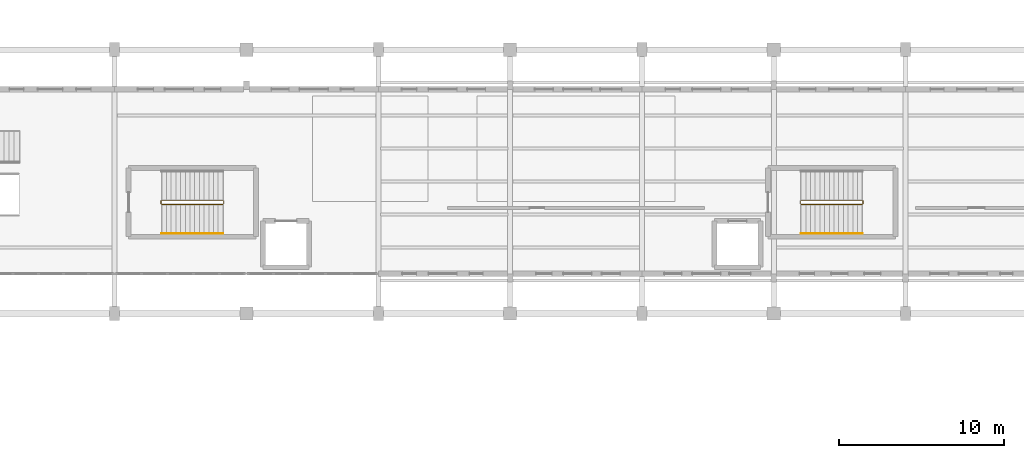
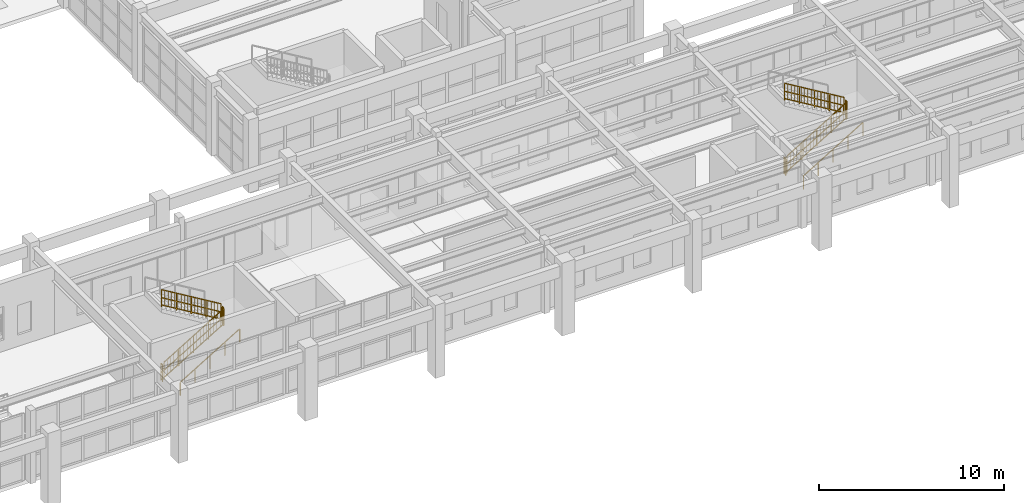
# One storey, part 56 of 59: 10 railings.
"""IFC4 building model written with IfcOpenShell, lengths in metres."""

from ifc_helpers import new_model, si_unit, direction, frame, origin, origin_2d, place, context, subcontext, project, spatial, rectangle, extrude, material, layer, layer_set, type_object, element, save


model = new_model("IFC4")

# Units and contexts
model_context = context("Model", 3, precision=1e-05, world=origin(), true_north=direction((0.0, 1.0)))
body_context = subcontext(model_context, "Body", "Model", "MODEL_VIEW")
ifc_project = project(units=[si_unit("LENGTHUNIT", "METRE"), si_unit("AREAUNIT", "SQUARE_METRE"), si_unit("VOLUMEUNIT", "CUBIC_METRE"), si_unit("PLANEANGLEUNIT", "RADIAN"), si_unit("MASSUNIT", "GRAM", prefix="KILO")], contexts=[model_context])

# Site, building, storey
site_placement = place(None, origin())
site = spatial("IfcSite", under=ifc_project, at=site_placement, CompositionType="ELEMENT")
building_placement = place(site_placement, origin())
building = spatial("IfcBuilding", under=site, at=building_placement, Name="Serraluz Foothill Cableway Terminal", CompositionType="ELEMENT")
storey_placement = place(building_placement, frame((0.0, 0.0, 4.800048828125)))
storey = spatial("IfcBuildingStorey", under=building, at=storey_placement, Name="L01", CompositionType="ELEMENT", Elevation=4.800048828125)

# Railings
ifc_material_1 = material(Name="Steel ASTM A572 Grade 50", Category="steel")
ifc_layer_1 = layer(ifc_material_1, 0.054931640625, Name="Steel ASTM A572 Grade 50", Category="steel")
ifc_layer_set_1 = layer_set([ifc_layer_1], Name="Steel ASTM A572 Grade 50")
railing_type_1 = type_object("IfcRailingType", Name="TYP-RL-GRD-1150", PredefinedType="GUARDRAIL", material=ifc_layer_set_1)
railing_1_placement = place(storey_placement, frame((66.860107421875, 62.610107421875, 0.17138671875)))
element("IfcRailing", 1, at=railing_1_placement, inside=storey, type_object=railing_type_1, Name="L01 ST-03 stair guard 1", PredefinedType="GUARDRAIL", context=body_context, shape_type="SweptSolid", body=[
    extrude(rectangle(XDim=0.048095703125, YDim=0.048095703125, at=origin_2d()), frame((0.0, 0.0, 1.1259765625), z_axis=(0.856919398105, 0.0, 0.515450429384), x_axis=(0.0, 1.0, 0.0)), (0.0, 0.0, 1.0), 4.323486328125),
    extrude(rectangle(XDim=0.048095703125, YDim=0.048095703125, at=origin_2d()), frame((0.0, 0.0, 0.597900390625), z_axis=(0.856919398105, 0.0, 0.515450429384), x_axis=(0.0, 1.0, 0.0)), (0.0, 0.0, 1.0), 4.323486328125),
    extrude(rectangle(XDim=0.048095703125, YDim=0.048095703125, at=origin_2d()), frame((0.0, 0.0, 0.1201171875), z_axis=(0.856919398105, 0.0, 0.515450429384), x_axis=(0.0, 1.0, 0.0)), (0.0, 0.0, 1.0), 4.323486328125),
    extrude(rectangle(XDim=0.02001953125, YDim=0.02001953125, at=origin_2d()), frame((0.205810546875, 0.0, 0.243896484375)), (0.0, 0.0, 1.0), 0.981689453125),
    extrude(rectangle(XDim=0.02001953125, YDim=0.02001953125, at=origin_2d()), frame((0.41162109375, 0.0, 0.36767578125)), (0.0, 0.0, 1.0), 0.981689453125),
    extrude(rectangle(XDim=0.02001953125, YDim=0.02001953125, at=origin_2d()), frame((0.617431640625, 0.0, 0.491455078125)), (0.0, 0.0, 1.0), 0.981689453125),
    extrude(rectangle(XDim=0.02001953125, YDim=0.02001953125, at=origin_2d()), frame((0.8232421875, 0.0, 0.615234375)), (0.0, 0.0, 1.0), 0.981689453125),
    extrude(rectangle(XDim=0.02001953125, YDim=0.02001953125, at=origin_2d()), frame((1.029052734375, 0.0, 0.739013671875)), (0.0, 0.0, 1.0), 0.981689453125),
    extrude(rectangle(XDim=0.02001953125, YDim=0.02001953125, at=origin_2d()), frame((1.23486328125, 0.0, 0.86279296875)), (0.0, 0.0, 1.0), 0.981689453125),
    extrude(rectangle(XDim=0.02001953125, YDim=0.02001953125, at=origin_2d()), frame((1.440673828125, 0.0, 0.986572265625)), (0.0, 0.0, 1.0), 0.981689453125),
    extrude(rectangle(XDim=0.02001953125, YDim=0.02001953125, at=origin_2d()), frame((1.646484375, 0.0, 1.1103515625)), (0.0, 0.0, 1.0), 0.981689453125),
    extrude(rectangle(XDim=0.02001953125, YDim=0.02001953125, at=origin_2d()), frame((2.058349609375, 0.0, 1.358154296875)), (0.0, 0.0, 1.0), 0.981689453125),
    extrude(rectangle(XDim=0.02001953125, YDim=0.02001953125, at=origin_2d()), frame((2.26416015625, 0.0, 1.48193359375)), (0.0, 0.0, 1.0), 0.981689453125),
    extrude(rectangle(XDim=0.02001953125, YDim=0.02001953125, at=origin_2d()), frame((2.469970703125, 0.0, 1.605712890625)), (0.0, 0.0, 1.0), 0.981689453125),
    extrude(rectangle(XDim=0.02001953125, YDim=0.02001953125, at=origin_2d()), frame((2.67578125, 0.0, 1.7294921875)), (0.0, 0.0, 1.0), 0.981689453125),
    extrude(rectangle(XDim=0.02001953125, YDim=0.02001953125, at=origin_2d()), frame((2.881591796875, 0.0, 1.853271484375)), (0.0, 0.0, 1.0), 0.981689453125),
    extrude(rectangle(XDim=0.02001953125, YDim=0.02001953125, at=origin_2d()), frame((3.08740234375, 0.0, 1.97705078125)), (0.0, 0.0, 1.0), 0.981689453125),
    extrude(rectangle(XDim=0.02001953125, YDim=0.02001953125, at=origin_2d()), frame((3.293212890625, 0.0, 2.100830078125)), (0.0, 0.0, 1.0), 0.981689453125),
    extrude(rectangle(XDim=0.02001953125, YDim=0.02001953125, at=origin_2d()), frame((3.4990234375, 0.0, 2.224609375)), (0.0, 0.0, 1.0), 0.981689453125),
    extrude(rectangle(XDim=0.0439453125, YDim=0.0439453125, at=origin_2d()), origin(), (0.0, 0.0, 1.0), 1.101806640625),
    extrude(rectangle(XDim=0.0439453125, YDim=0.0439453125, at=origin_2d()), frame((0.92626953125, 0.0, 0.55712890625)), (0.0, 0.0, 1.0), 1.101806640625),
    extrude(rectangle(XDim=0.0439453125, YDim=0.0439453125, at=origin_2d()), frame((1.8525390625, 0.0, 1.1142578125)), (0.0, 0.0, 1.0), 1.101806640625),
    extrude(rectangle(XDim=0.0439453125, YDim=0.0439453125, at=origin_2d()), frame((2.778564453125, 0.0, 1.67138671875)), (0.0, 0.0, 1.0), 1.101806640625),
    extrude(rectangle(XDim=0.0439453125, YDim=0.0439453125, at=origin_2d()), frame((3.704833984375, 0.0, 2.228515625)), (0.0, 0.0, 1.0), 1.101806640625),
])
railing_2_placement = place(storey_placement, frame((70.614990234375, 62.659912109375, 2.39990234375)))
element("IfcRailing", 2, at=railing_2_placement, inside=storey, type_object=railing_type_1, Name="L01 ST-03 stair guard 2", PredefinedType="GUARDRAIL", context=body_context, shape_type="SweptSolid", body=[
    extrude(rectangle(XDim=0.048095703125, YDim=0.048095703125, at=origin_2d()), frame((0.0, 0.0, 1.1259765625), z_axis=(0.0, 1.0, 0.0), x_axis=(-1.0, 0.0, 0.0)), (0.0, 0.0, 1.0), 0.16015625),
    extrude(rectangle(XDim=0.048095703125, YDim=0.048095703125, at=origin_2d()), frame((0.0, 0.0, 0.597900390625), z_axis=(0.0, 1.0, 0.0), x_axis=(-1.0, 0.0, 0.0)), (0.0, 0.0, 1.0), 0.16015625),
    extrude(rectangle(XDim=0.048095703125, YDim=0.048095703125, at=origin_2d()), frame((0.0, 0.0, 0.1201171875), z_axis=(0.0, 1.0, 0.0), x_axis=(-1.0, 0.0, 0.0)), (0.0, 0.0, 1.0), 0.16015625),
    extrude(rectangle(XDim=0.0439453125, YDim=0.0439453125, at=origin_2d()), origin(), (0.0, 0.0, 1.0), 1.101806640625),
    extrude(rectangle(XDim=0.0439453125, YDim=0.0439453125, at=origin_2d()), frame((0.0, 0.16015625, 0.0)), (0.0, 0.0, 1.0), 1.101806640625),
])
railing_3_placement = place(storey_placement, frame((70.56494140625, 62.8701171875, 2.5712890625)))
element("IfcRailing", 3, at=railing_3_placement, inside=storey, type_object=railing_type_1, Name="L01 ST-03 stair guard 3", PredefinedType="GUARDRAIL", context=body_context, shape_type="SweptSolid", body=[
    extrude(rectangle(XDim=0.048095703125, YDim=0.048095703125, at=origin_2d()), frame((0.0, 0.0, 1.1259765625), z_axis=(-0.856894455432, 0.0, 0.515491893485), x_axis=(0.0, -1.0, 0.0)), (0.0, 0.0, 1.0), 4.323486328125),
    extrude(rectangle(XDim=0.048095703125, YDim=0.048095703125, at=origin_2d()), frame((0.0, 0.0, 0.597900390625), z_axis=(-0.856894455432, 0.0, 0.515491893485), x_axis=(0.0, -1.0, 0.0)), (0.0, 0.0, 1.0), 4.323486328125),
    extrude(rectangle(XDim=0.048095703125, YDim=0.048095703125, at=origin_2d()), frame((0.0, 0.0, 0.1201171875), z_axis=(-0.856894455432, 0.0, 0.515491893485), x_axis=(0.0, -1.0, 0.0)), (0.0, 0.0, 1.0), 4.323486328125),
    extrude(rectangle(XDim=0.02001953125, YDim=0.02001953125, at=origin_2d()), frame((-0.205810546875, 0.0, 0.243896484375)), (0.0, 0.0, 1.0), 0.981689453125),
    extrude(rectangle(XDim=0.02001953125, YDim=0.02001953125, at=origin_2d()), frame((-0.41162109375, 0.0, 0.36767578125)), (0.0, 0.0, 1.0), 0.981689453125),
    extrude(rectangle(XDim=0.02001953125, YDim=0.02001953125, at=origin_2d()), frame((-0.617431640625, 0.0, 0.491455078125)), (0.0, 0.0, 1.0), 0.981689453125),
    extrude(rectangle(XDim=0.02001953125, YDim=0.02001953125, at=origin_2d()), frame((-0.8232421875, 0.0, 0.615234375)), (0.0, 0.0, 1.0), 0.981689453125),
    extrude(rectangle(XDim=0.02001953125, YDim=0.02001953125, at=origin_2d()), frame((-1.029052734375, 0.0, 0.739013671875)), (0.0, 0.0, 1.0), 0.981689453125),
    extrude(rectangle(XDim=0.02001953125, YDim=0.02001953125, at=origin_2d()), frame((-1.23486328125, 0.0, 0.863037109375)), (0.0, 0.0, 1.0), 0.981689453125),
    extrude(rectangle(XDim=0.02001953125, YDim=0.02001953125, at=origin_2d()), frame((-1.440673828125, 0.0, 0.98681640625)), (0.0, 0.0, 1.0), 0.981689453125),
    extrude(rectangle(XDim=0.02001953125, YDim=0.02001953125, at=origin_2d()), frame((-1.646484375, 0.0, 1.110595703125)), (0.0, 0.0, 1.0), 0.981689453125),
    extrude(rectangle(XDim=0.02001953125, YDim=0.02001953125, at=origin_2d()), frame((-2.058349609375, 0.0, 1.358154296875)), (0.0, 0.0, 1.0), 0.981689453125),
    extrude(rectangle(XDim=0.02001953125, YDim=0.02001953125, at=origin_2d()), frame((-2.26416015625, 0.0, 1.48193359375)), (0.0, 0.0, 1.0), 0.981689453125),
    extrude(rectangle(XDim=0.02001953125, YDim=0.02001953125, at=origin_2d()), frame((-2.469970703125, 0.0, 1.60595703125)), (0.0, 0.0, 1.0), 0.981689453125),
    extrude(rectangle(XDim=0.02001953125, YDim=0.02001953125, at=origin_2d()), frame((-2.67578125, 0.0, 1.729736328125)), (0.0, 0.0, 1.0), 0.981689453125),
    extrude(rectangle(XDim=0.02001953125, YDim=0.02001953125, at=origin_2d()), frame((-2.881591796875, 0.0, 1.853515625)), (0.0, 0.0, 1.0), 0.981689453125),
    extrude(rectangle(XDim=0.02001953125, YDim=0.02001953125, at=origin_2d()), frame((-3.08740234375, 0.0, 1.977294921875)), (0.0, 0.0, 1.0), 0.981689453125),
    extrude(rectangle(XDim=0.02001953125, YDim=0.02001953125, at=origin_2d()), frame((-3.293212890625, 0.0, 2.10107421875)), (0.0, 0.0, 1.0), 0.981689453125),
    extrude(rectangle(XDim=0.02001953125, YDim=0.02001953125, at=origin_2d()), frame((-3.4990234375, 0.0, 2.224853515625)), (0.0, 0.0, 1.0), 0.981689453125),
    extrude(rectangle(XDim=0.0439453125, YDim=0.0439453125, at=origin_2d()), origin(), (0.0, 0.0, 1.0), 1.101806640625),
    extrude(rectangle(XDim=0.0439453125, YDim=0.0439453125, at=origin_2d()), frame((-0.92626953125, 0.0, 0.55712890625)), (0.0, 0.0, 1.0), 1.101806640625),
    extrude(rectangle(XDim=0.0439453125, YDim=0.0439453125, at=origin_2d()), frame((-1.8525390625, 0.0, 1.1142578125)), (0.0, 0.0, 1.0), 1.101806640625),
    extrude(rectangle(XDim=0.0439453125, YDim=0.0439453125, at=origin_2d()), frame((-2.778564453125, 0.0, 1.671630859375)), (0.0, 0.0, 1.0), 1.101806640625),
    extrude(rectangle(XDim=0.0439453125, YDim=0.0439453125, at=origin_2d()), frame((-3.704833984375, 0.0, 2.228759765625)), (0.0, 0.0, 1.0), 1.101806640625),
])
railing_4_placement = place(storey_placement, frame((66.81005859375, 62.659912109375, 0.0)))
element("IfcRailing", 4, at=railing_4_placement, inside=storey, type_object=railing_type_1, Name="L01 ST-03 stair guard 4", PredefinedType="GUARDRAIL", context=body_context, shape_type="SweptSolid", body=[
    extrude(rectangle(XDim=0.048095703125, YDim=0.048095703125, at=origin_2d()), frame((0.0, 0.0, 1.1259765625), z_axis=(0.0, 1.0, 0.0), x_axis=(-1.0, 0.0, 0.0)), (0.0, 0.0, 1.0), 0.16015625),
    extrude(rectangle(XDim=0.048095703125, YDim=0.048095703125, at=origin_2d()), frame((0.0, 0.0, 0.597900390625), z_axis=(0.0, 1.0, 0.0), x_axis=(-1.0, 0.0, 0.0)), (0.0, 0.0, 1.0), 0.16015625),
    extrude(rectangle(XDim=0.048095703125, YDim=0.048095703125, at=origin_2d()), frame((0.0, 0.0, 0.1201171875), z_axis=(0.0, 1.0, 0.0), x_axis=(-1.0, 0.0, 0.0)), (0.0, 0.0, 1.0), 0.16015625),
    extrude(rectangle(XDim=0.0439453125, YDim=0.0439453125, at=origin_2d()), origin(), (0.0, 0.0, 1.0), 1.101806640625),
    extrude(rectangle(XDim=0.0439453125, YDim=0.0439453125, at=origin_2d()), frame((0.0, 0.16015625, 0.0)), (0.0, 0.0, 1.0), 1.101806640625),
])
railing_5_placement = place(storey_placement, frame((105.659912109375, 62.610107421875, 0.17138671875)))
element("IfcRailing", 5, at=railing_5_placement, inside=storey, type_object=railing_type_1, Name="L01 ST-04 stair guard 1", PredefinedType="GUARDRAIL", context=body_context, shape_type="SweptSolid", body=[
    extrude(rectangle(XDim=0.048095703125, YDim=0.048095703125, at=origin_2d()), frame((0.0, 0.0, 1.1259765625), z_axis=(0.856934400257, 0.0, 0.515425487977), x_axis=(0.0, 1.0, 0.0)), (0.0, 0.0, 1.0), 4.32373046875),
    extrude(rectangle(XDim=0.048095703125, YDim=0.048095703125, at=origin_2d()), frame((0.0, 0.0, 0.597900390625), z_axis=(0.856934400257, 0.0, 0.515425487977), x_axis=(0.0, 1.0, 0.0)), (0.0, 0.0, 1.0), 4.32373046875),
    extrude(rectangle(XDim=0.048095703125, YDim=0.048095703125, at=origin_2d()), frame((0.0, 0.0, 0.1201171875), z_axis=(0.856934400257, 0.0, 0.515425487977), x_axis=(0.0, 1.0, 0.0)), (0.0, 0.0, 1.0), 4.32373046875),
    extrude(rectangle(XDim=0.02001953125, YDim=0.02001953125, at=origin_2d()), frame((0.205810546875, 0.0, 0.243896484375)), (0.0, 0.0, 1.0), 0.981689453125),
    extrude(rectangle(XDim=0.02001953125, YDim=0.02001953125, at=origin_2d()), frame((0.41162109375, 0.0, 0.36767578125)), (0.0, 0.0, 1.0), 0.981689453125),
    extrude(rectangle(XDim=0.02001953125, YDim=0.02001953125, at=origin_2d()), frame((0.617431640625, 0.0, 0.491455078125)), (0.0, 0.0, 1.0), 0.981689453125),
    extrude(rectangle(XDim=0.02001953125, YDim=0.02001953125, at=origin_2d()), frame((0.8232421875, 0.0, 0.615234375)), (0.0, 0.0, 1.0), 0.981689453125),
    extrude(rectangle(XDim=0.02001953125, YDim=0.02001953125, at=origin_2d()), frame((1.029296875, 0.0, 0.739013671875)), (0.0, 0.0, 1.0), 0.981689453125),
    extrude(rectangle(XDim=0.02001953125, YDim=0.02001953125, at=origin_2d()), frame((1.235107421875, 0.0, 0.86279296875)), (0.0, 0.0, 1.0), 0.981689453125),
    extrude(rectangle(XDim=0.02001953125, YDim=0.02001953125, at=origin_2d()), frame((1.44091796875, 0.0, 0.986572265625)), (0.0, 0.0, 1.0), 0.981689453125),
    extrude(rectangle(XDim=0.02001953125, YDim=0.02001953125, at=origin_2d()), frame((1.646728515625, 0.0, 1.1103515625)), (0.0, 0.0, 1.0), 0.981689453125),
    extrude(rectangle(XDim=0.02001953125, YDim=0.02001953125, at=origin_2d()), frame((2.058349609375, 0.0, 1.358154296875)), (0.0, 0.0, 1.0), 0.981689453125),
    extrude(rectangle(XDim=0.02001953125, YDim=0.02001953125, at=origin_2d()), frame((2.26416015625, 0.0, 1.48193359375)), (0.0, 0.0, 1.0), 0.981689453125),
    extrude(rectangle(XDim=0.02001953125, YDim=0.02001953125, at=origin_2d()), frame((2.469970703125, 0.0, 1.605712890625)), (0.0, 0.0, 1.0), 0.981689453125),
    extrude(rectangle(XDim=0.02001953125, YDim=0.02001953125, at=origin_2d()), frame((2.67578125, 0.0, 1.7294921875)), (0.0, 0.0, 1.0), 0.981689453125),
    extrude(rectangle(XDim=0.02001953125, YDim=0.02001953125, at=origin_2d()), frame((2.8818359375, 0.0, 1.853271484375)), (0.0, 0.0, 1.0), 0.981689453125),
    extrude(rectangle(XDim=0.02001953125, YDim=0.02001953125, at=origin_2d()), frame((3.087646484375, 0.0, 1.97705078125)), (0.0, 0.0, 1.0), 0.981689453125),
    extrude(rectangle(XDim=0.02001953125, YDim=0.02001953125, at=origin_2d()), frame((3.29345703125, 0.0, 2.100830078125)), (0.0, 0.0, 1.0), 0.981689453125),
    extrude(rectangle(XDim=0.02001953125, YDim=0.02001953125, at=origin_2d()), frame((3.499267578125, 0.0, 2.224609375)), (0.0, 0.0, 1.0), 0.981689453125),
    extrude(rectangle(XDim=0.0439453125, YDim=0.0439453125, at=origin_2d()), origin(), (0.0, 0.0, 1.0), 1.101806640625),
    extrude(rectangle(XDim=0.0439453125, YDim=0.0439453125, at=origin_2d()), frame((0.92626953125, 0.0, 0.55712890625)), (0.0, 0.0, 1.0), 1.101806640625),
    extrude(rectangle(XDim=0.0439453125, YDim=0.0439453125, at=origin_2d()), frame((1.8525390625, 0.0, 1.1142578125)), (0.0, 0.0, 1.0), 1.101806640625),
    extrude(rectangle(XDim=0.0439453125, YDim=0.0439453125, at=origin_2d()), frame((2.77880859375, 0.0, 1.67138671875)), (0.0, 0.0, 1.0), 1.101806640625),
    extrude(rectangle(XDim=0.0439453125, YDim=0.0439453125, at=origin_2d()), frame((3.705078125, 0.0, 2.228515625)), (0.0, 0.0, 1.0), 1.101806640625),
])
railing_6_placement = place(storey_placement, frame((109.4150390625, 62.659912109375, 2.39990234375)))
element("IfcRailing", 6, at=railing_6_placement, inside=storey, type_object=railing_type_1, Name="L01 ST-04 stair guard 2", PredefinedType="GUARDRAIL", context=body_context, shape_type="SweptSolid", body=[
    extrude(rectangle(XDim=0.048095703125, YDim=0.048095703125, at=origin_2d()), frame((0.0, 0.0, 1.1259765625), z_axis=(0.0, 1.0, 0.0), x_axis=(-1.0, 0.0, 0.0)), (0.0, 0.0, 1.0), 0.16015625),
    extrude(rectangle(XDim=0.048095703125, YDim=0.048095703125, at=origin_2d()), frame((0.0, 0.0, 0.597900390625), z_axis=(0.0, 1.0, 0.0), x_axis=(-1.0, 0.0, 0.0)), (0.0, 0.0, 1.0), 0.16015625),
    extrude(rectangle(XDim=0.048095703125, YDim=0.048095703125, at=origin_2d()), frame((0.0, 0.0, 0.1201171875), z_axis=(0.0, 1.0, 0.0), x_axis=(-1.0, 0.0, 0.0)), (0.0, 0.0, 1.0), 0.16015625),
    extrude(rectangle(XDim=0.0439453125, YDim=0.0439453125, at=origin_2d()), origin(), (0.0, 0.0, 1.0), 1.101806640625),
    extrude(rectangle(XDim=0.0439453125, YDim=0.0439453125, at=origin_2d()), frame((0.0, 0.16015625, 0.0)), (0.0, 0.0, 1.0), 1.101806640625),
])
railing_7_placement = place(storey_placement, frame((109.364990234375, 62.8701171875, 2.5712890625)))
element("IfcRailing", 7, at=railing_7_placement, inside=storey, type_object=railing_type_1, Name="L01 ST-04 stair guard 3", PredefinedType="GUARDRAIL", context=body_context, shape_type="SweptSolid", body=[
    extrude(rectangle(XDim=0.048095703125, YDim=0.048095703125, at=origin_2d()), frame((0.0, 0.0, 1.1259765625), z_axis=(-0.856909459561, 0.0, 0.515466951525), x_axis=(0.0, -1.0, 0.0)), (0.0, 0.0, 1.0), 4.32373046875),
    extrude(rectangle(XDim=0.048095703125, YDim=0.048095703125, at=origin_2d()), frame((0.0, 0.0, 0.597900390625), z_axis=(-0.856909459561, 0.0, 0.515466951525), x_axis=(0.0, -1.0, 0.0)), (0.0, 0.0, 1.0), 4.32373046875),
    extrude(rectangle(XDim=0.048095703125, YDim=0.048095703125, at=origin_2d()), frame((0.0, 0.0, 0.1201171875), z_axis=(-0.856909459561, 0.0, 0.515466951525), x_axis=(0.0, -1.0, 0.0)), (0.0, 0.0, 1.0), 4.32373046875),
    extrude(rectangle(XDim=0.02001953125, YDim=0.02001953125, at=origin_2d()), frame((-0.205810546875, 0.0, 0.243896484375)), (0.0, 0.0, 1.0), 0.981689453125),
    extrude(rectangle(XDim=0.02001953125, YDim=0.02001953125, at=origin_2d()), frame((-0.41162109375, 0.0, 0.36767578125)), (0.0, 0.0, 1.0), 0.981689453125),
    extrude(rectangle(XDim=0.02001953125, YDim=0.02001953125, at=origin_2d()), frame((-0.617431640625, 0.0, 0.491455078125)), (0.0, 0.0, 1.0), 0.981689453125),
    extrude(rectangle(XDim=0.02001953125, YDim=0.02001953125, at=origin_2d()), frame((-0.8232421875, 0.0, 0.615234375)), (0.0, 0.0, 1.0), 0.981689453125),
    extrude(rectangle(XDim=0.02001953125, YDim=0.02001953125, at=origin_2d()), frame((-1.029296875, 0.0, 0.739013671875)), (0.0, 0.0, 1.0), 0.981689453125),
    extrude(rectangle(XDim=0.02001953125, YDim=0.02001953125, at=origin_2d()), frame((-1.235107421875, 0.0, 0.863037109375)), (0.0, 0.0, 1.0), 0.981689453125),
    extrude(rectangle(XDim=0.02001953125, YDim=0.02001953125, at=origin_2d()), frame((-1.44091796875, 0.0, 0.98681640625)), (0.0, 0.0, 1.0), 0.981689453125),
    extrude(rectangle(XDim=0.02001953125, YDim=0.02001953125, at=origin_2d()), frame((-1.646728515625, 0.0, 1.110595703125)), (0.0, 0.0, 1.0), 0.981689453125),
    extrude(rectangle(XDim=0.02001953125, YDim=0.02001953125, at=origin_2d()), frame((-2.058349609375, 0.0, 1.358154296875)), (0.0, 0.0, 1.0), 0.981689453125),
    extrude(rectangle(XDim=0.02001953125, YDim=0.02001953125, at=origin_2d()), frame((-2.26416015625, 0.0, 1.48193359375)), (0.0, 0.0, 1.0), 0.981689453125),
    extrude(rectangle(XDim=0.02001953125, YDim=0.02001953125, at=origin_2d()), frame((-2.469970703125, 0.0, 1.60595703125)), (0.0, 0.0, 1.0), 0.981689453125),
    extrude(rectangle(XDim=0.02001953125, YDim=0.02001953125, at=origin_2d()), frame((-2.67578125, 0.0, 1.729736328125)), (0.0, 0.0, 1.0), 0.981689453125),
    extrude(rectangle(XDim=0.02001953125, YDim=0.02001953125, at=origin_2d()), frame((-2.8818359375, 0.0, 1.853515625)), (0.0, 0.0, 1.0), 0.981689453125),
    extrude(rectangle(XDim=0.02001953125, YDim=0.02001953125, at=origin_2d()), frame((-3.087646484375, 0.0, 1.977294921875)), (0.0, 0.0, 1.0), 0.981689453125),
    extrude(rectangle(XDim=0.02001953125, YDim=0.02001953125, at=origin_2d()), frame((-3.29345703125, 0.0, 2.10107421875)), (0.0, 0.0, 1.0), 0.981689453125),
    extrude(rectangle(XDim=0.02001953125, YDim=0.02001953125, at=origin_2d()), frame((-3.499267578125, 0.0, 2.224853515625)), (0.0, 0.0, 1.0), 0.981689453125),
    extrude(rectangle(XDim=0.0439453125, YDim=0.0439453125, at=origin_2d()), origin(), (0.0, 0.0, 1.0), 1.101806640625),
    extrude(rectangle(XDim=0.0439453125, YDim=0.0439453125, at=origin_2d()), frame((-0.92626953125, 0.0, 0.55712890625)), (0.0, 0.0, 1.0), 1.101806640625),
    extrude(rectangle(XDim=0.0439453125, YDim=0.0439453125, at=origin_2d()), frame((-1.8525390625, 0.0, 1.1142578125)), (0.0, 0.0, 1.0), 1.101806640625),
    extrude(rectangle(XDim=0.0439453125, YDim=0.0439453125, at=origin_2d()), frame((-2.77880859375, 0.0, 1.671630859375)), (0.0, 0.0, 1.0), 1.101806640625),
    extrude(rectangle(XDim=0.0439453125, YDim=0.0439453125, at=origin_2d()), frame((-3.705078125, 0.0, 2.228759765625)), (0.0, 0.0, 1.0), 1.101806640625),
])
railing_8_placement = place(storey_placement, frame((105.610107421875, 62.659912109375, 0.0)))
element("IfcRailing", 8, at=railing_8_placement, inside=storey, type_object=railing_type_1, Name="L01 ST-04 stair guard 4", PredefinedType="GUARDRAIL", context=body_context, shape_type="SweptSolid", body=[
    extrude(rectangle(XDim=0.048095703125, YDim=0.048095703125, at=origin_2d()), frame((0.0, 0.0, 1.1259765625), z_axis=(0.0, 1.0, 0.0), x_axis=(-1.0, 0.0, 0.0)), (0.0, 0.0, 1.0), 0.16015625),
    extrude(rectangle(XDim=0.048095703125, YDim=0.048095703125, at=origin_2d()), frame((0.0, 0.0, 0.597900390625), z_axis=(0.0, 1.0, 0.0), x_axis=(-1.0, 0.0, 0.0)), (0.0, 0.0, 1.0), 0.16015625),
    extrude(rectangle(XDim=0.048095703125, YDim=0.048095703125, at=origin_2d()), frame((0.0, 0.0, 0.1201171875), z_axis=(0.0, 1.0, 0.0), x_axis=(-1.0, 0.0, 0.0)), (0.0, 0.0, 1.0), 0.16015625),
    extrude(rectangle(XDim=0.0439453125, YDim=0.0439453125, at=origin_2d()), origin(), (0.0, 0.0, 1.0), 1.101806640625),
    extrude(rectangle(XDim=0.0439453125, YDim=0.0439453125, at=origin_2d()), frame((0.0, 0.16015625, 0.0)), (0.0, 0.0, 1.0), 1.101806640625),
])
ifc_material_2 = material(Name="Architectural bronze alloy C28000", Category="aluminium")
ifc_layer_2 = layer(ifc_material_2, 0.048095703125, Name="Architectural bronze alloy C28000", Category="aluminium")
ifc_layer_set_2 = layer_set([ifc_layer_2], Name="Architectural bronze alloy C28000")
railing_type_2 = type_object("IfcRailingType", Name="TYP-RL-HND-920", PredefinedType="HANDRAIL", material=ifc_layer_set_2)
railing_9_placement = place(storey_placement, frame((66.860107421875, 60.85009765625, 0.17138671875)))
element("IfcRailing", 9, at=railing_9_placement, inside=storey, type_object=railing_type_2, Name="L01 ST-03 stair handrail 1", PredefinedType="HANDRAIL", context=body_context, shape_type="SweptSolid", body=[
    extrude(rectangle(XDim=0.048095703125, YDim=0.048095703125, at=origin_2d()), frame((0.0, 0.0, 0.8759765625), z_axis=(0.856919398105, 0.0, 0.515450429384), x_axis=(0.0, 1.0, 0.0)), (0.0, 0.0, 1.0), 4.323486328125),
    extrude(rectangle(XDim=0.0439453125, YDim=0.0439453125, at=origin_2d()), origin(), (0.0, 0.0, 1.0), 0.851806640625),
    extrude(rectangle(XDim=0.0439453125, YDim=0.0439453125, at=origin_2d()), frame((0.92626953125, 0.0, 0.55712890625)), (0.0, 0.0, 1.0), 0.851806640625),
    extrude(rectangle(XDim=0.0439453125, YDim=0.0439453125, at=origin_2d()), frame((1.8525390625, 0.0, 1.1142578125)), (0.0, 0.0, 1.0), 0.851806640625),
    extrude(rectangle(XDim=0.0439453125, YDim=0.0439453125, at=origin_2d()), frame((2.778564453125, 0.0, 1.67138671875)), (0.0, 0.0, 1.0), 0.851806640625),
    extrude(rectangle(XDim=0.0439453125, YDim=0.0439453125, at=origin_2d()), frame((3.704833984375, 0.0, 2.228515625)), (0.0, 0.0, 1.0), 0.851806640625),
])
railing_10_placement = place(storey_placement, frame((105.659912109375, 60.85009765625, 0.17138671875)))
element("IfcRailing", 10, at=railing_10_placement, inside=storey, type_object=railing_type_2, Name="L01 ST-04 stair handrail 1", PredefinedType="HANDRAIL", context=body_context, shape_type="SweptSolid", body=[
    extrude(rectangle(XDim=0.048095703125, YDim=0.048095703125, at=origin_2d()), frame((0.0, 0.0, 0.8759765625), z_axis=(0.856934400257, 0.0, 0.515425487977), x_axis=(0.0, 1.0, 0.0)), (0.0, 0.0, 1.0), 4.32373046875),
    extrude(rectangle(XDim=0.0439453125, YDim=0.0439453125, at=origin_2d()), origin(), (0.0, 0.0, 1.0), 0.851806640625),
    extrude(rectangle(XDim=0.0439453125, YDim=0.0439453125, at=origin_2d()), frame((0.92626953125, 0.0, 0.55712890625)), (0.0, 0.0, 1.0), 0.851806640625),
    extrude(rectangle(XDim=0.0439453125, YDim=0.0439453125, at=origin_2d()), frame((1.8525390625, 0.0, 1.1142578125)), (0.0, 0.0, 1.0), 0.851806640625),
    extrude(rectangle(XDim=0.0439453125, YDim=0.0439453125, at=origin_2d()), frame((2.77880859375, 0.0, 1.67138671875)), (0.0, 0.0, 1.0), 0.851806640625),
    extrude(rectangle(XDim=0.0439453125, YDim=0.0439453125, at=origin_2d()), frame((3.705078125, 0.0, 2.228515625)), (0.0, 0.0, 1.0), 0.851806640625),
])

save(model, "model.ifc")
